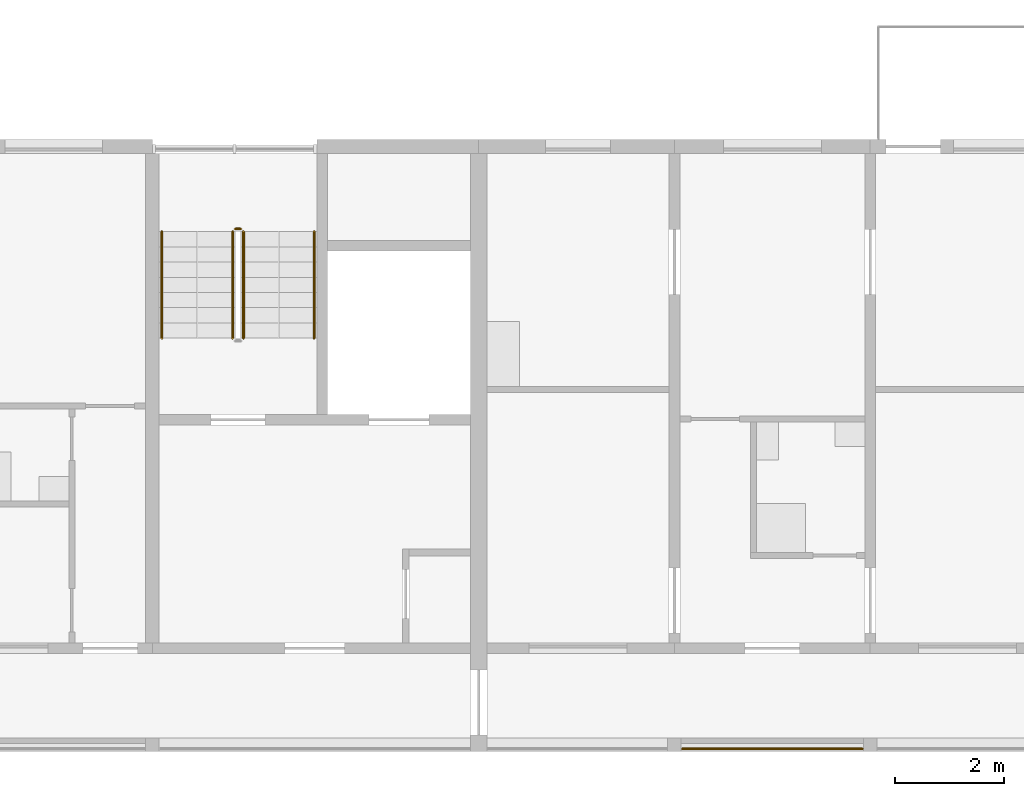
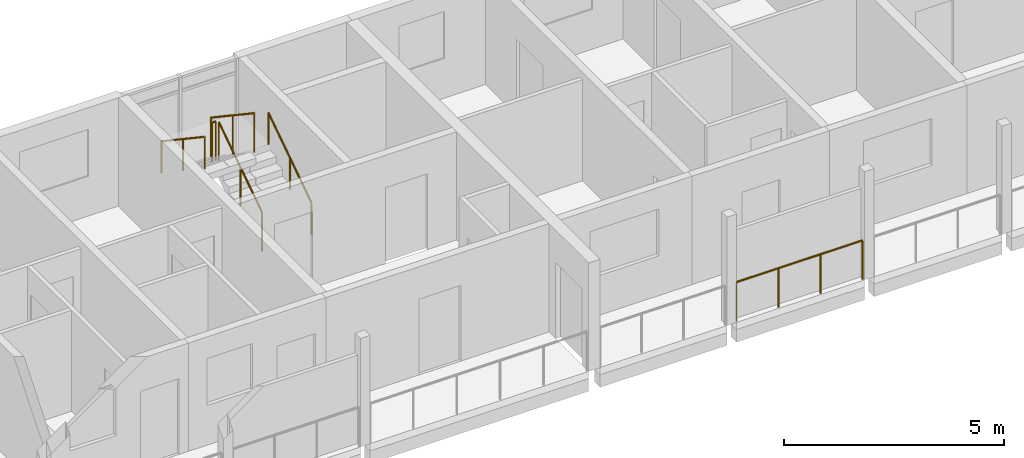
# One storey, part 85 of 94: 6 railings.
"""IFC4 building model written with IfcOpenShell, lengths in metres."""

import ifcopenshell
import ifcopenshell.guid

model = None  # the IFC model being written
_history = None  # IfcOwnerHistory: only IFC2X3 demands one
_inside = {}  # id of a spatial element -> (the spatial element, [elements in it])
_under = {}  # id of a project, library or spatial element -> (it, [spatial elements below it])
_declared = {}  # id of a project -> (the project, [libraries it declares])
_typed = {}  # id of a type object -> (the type object, [elements of that type])
_made_of = {}  # id of a material, layer set ... -> (it, [elements and type objects made of it])


def new_model(schema):
    """Start an empty IFC model of exactly this schema.

    Asked for "IFC4X3", IfcOpenShell would pick the latest addendum, in which some entities
    have other attributes; the version numbers below select the first issue.
    IFC2X3 requires an IfcOwnerHistory on every rooted entity: one is made here for all.
    """
    global model, _history
    if schema == "IFC4X3":
        model = ifcopenshell.file(schema_version=(4, 3, 0, 0))
    else:
        model = ifcopenshell.file(schema=schema)
    _inside.clear()
    _under.clear()
    _declared.clear()
    _typed.clear()
    _made_of.clear()
    _history = None
    if model.schema == "IFC2X3":
        org = make("IfcOrganization", Name="unknown")
        user = make(
            "IfcPersonAndOrganization",
            ThePerson=make("IfcPerson", FamilyName="unknown"),
            TheOrganization=org,
        )
        app = make(
            "IfcApplication",
            ApplicationDeveloper=org,
            Version="unknown",
            ApplicationFullName="unknown",
            ApplicationIdentifier="unknown",
        )
        _history = make(
            "IfcOwnerHistory",
            OwningUser=user,
            OwningApplication=app,
            ChangeAction="ADDED",
            CreationDate=0,
        )
    return model


def make(cls, **values):
    """One entity of the class cls with the attributes given. An attribute that is None is left unset."""
    return model.create_entity(
        cls, **{name: value for name, value in values.items() if value is not None}
    )


def rooted(cls, **values):
    """An entity with a GlobalId (a new one), such as an element, a storey or a relation."""
    return make(cls, GlobalId=ifcopenshell.guid.new(), OwnerHistory=_history, **values)


def si_unit(unit_type, name, prefix=None):
    """IfcSIUnit, for example si_unit("LENGTHUNIT", "METRE", prefix="MILLI")."""
    return make("IfcSIUnit", UnitType=unit_type, Prefix=prefix, Name=name)


def assignment(units):
    """IfcUnitAssignment: the units of a project."""
    return None if units is None else make("IfcUnitAssignment", Units=units)


def point(xyz):
    """IfcCartesianPoint."""
    return None if xyz is None else make("IfcCartesianPoint", Coordinates=xyz)


def direction(xyz):
    """IfcDirection."""
    return None if xyz is None else make("IfcDirection", DirectionRatios=xyz)


def frame(location, z_axis=None, x_axis=None):
    """IfcAxis2Placement3D, a coordinate frame: its origin and axes. An axis left out is left unset."""
    return make(
        "IfcAxis2Placement3D",
        Location=point(location),
        Axis=direction(z_axis),
        RefDirection=direction(x_axis),
    )


def frame_2d(location, x_axis=None):
    """IfcAxis2Placement2D, a coordinate frame in the plane: its origin and x axis."""
    return make(
        "IfcAxis2Placement2D", Location=point(location), RefDirection=direction(x_axis)
    )


def origin():
    """The frame at (0, 0, 0) with its axes left unset."""
    return frame((0.0, 0.0, 0.0))


def origin_2d():
    """The frame at (0, 0) in the plane with its x axis left unset."""
    return frame_2d((0.0, 0.0))


def place(relative_to, where):
    """IfcLocalPlacement: puts the frame where relative to a parent placement (None: the world)."""
    return make(
        "IfcLocalPlacement", PlacementRelTo=relative_to, RelativePlacement=where
    )


def context(
    kind, dimensions, precision=None, world=None, true_north=None, identifier=None
):
    """IfcGeometricRepresentationContext, for example the 3D "Model" context."""
    return make(
        "IfcGeometricRepresentationContext",
        ContextIdentifier=identifier,
        ContextType=kind,
        CoordinateSpaceDimension=dimensions,
        Precision=precision,
        WorldCoordinateSystem=world,
        TrueNorth=true_north,
    )


def subcontext(parent, identifier, kind, view, scale=None):
    """IfcGeometricRepresentationSubContext, for example "Body" below "Model"."""
    return make(
        "IfcGeometricRepresentationSubContext",
        ContextIdentifier=identifier,
        ContextType=kind,
        ParentContext=parent,
        TargetScale=scale,
        TargetView=view,
    )


def project(units=None, contexts=None):
    """IfcProject with its units and contexts."""
    return rooted(
        "IfcProject",
        Name="project",
        RepresentationContexts=contexts,
        UnitsInContext=assignment(units),
    )


def spatial(cls, under=None, at=None, **own):
    """A site, building, storey or space (cls), placed at a placement, below another one or the project."""
    s = rooted(cls, ObjectPlacement=at, **own)
    if under is not None:
        _under.setdefault(under.id(), (under, []))[1].append(s)
    return s


def profile(cls, at=None, kind="AREA", **sizes):
    """A parametric profile (cls). Its sizes go by their IFC names, for example OverallWidth=200.0."""
    return make(cls, ProfileType=kind, Position=at, **sizes)


def circle(**sizes):
    """IfcCircleProfileDef."""
    return profile("IfcCircleProfileDef", **sizes)


def extrude(swept, where, along, depth):
    """IfcExtrudedAreaSolid: the profile swept, set in the frame where, extruded along a direction by depth."""
    return make(
        "IfcExtrudedAreaSolid",
        SweptArea=swept,
        Position=where,
        ExtrudedDirection=direction(along),
        Depth=depth,
    )


def shape(context_of_items, identifier, shape_type, items):
    """IfcShapeRepresentation: the items that make up one representation, for example the "Body"."""
    return make(
        "IfcShapeRepresentation",
        ContextOfItems=context_of_items,
        RepresentationIdentifier=identifier,
        RepresentationType=shape_type,
        Items=items,
    )


def material(Name=None, Category=None):
    """IfcMaterial."""
    return make("IfcMaterial", Name=Name, Category=Category)


def made_of(thing, what):
    """Note that an element or type object is made of a material, layer set ...; save() writes the relation."""
    if what is not None:
        _made_of.setdefault(what.id(), (what, []))[1].append(thing)
    return thing


def type_object(cls, material=None, **own):
    """A type object (cls), such as IfcWallType, which elements share."""
    return made_of(rooted(cls, **own), material)


def element(
    cls,
    number,
    at=None,
    inside=None,
    cuts=None,
    type_object=None,
    material=None,
    context=None,
    identifier="Body",
    shape_type=None,
    held_by="IfcProductDefinitionShape",
    body=None,
    shapes=None,
    **own,
):
    """One element of the class cls, such as IfcWall. Its Tag is "e" and its number.

    at: its placement. inside: the storey or other place that contains it. cuts: it is an
    opening in that element (IfcRelVoidsElement). A single representation is given by context,
    identifier, shape_type and body (its items); several are given by shapes. held_by: the class
    of the entity that holds the representations. save() writes the other relations.
    """
    e = rooted(cls, Tag="e%d" % number, ObjectPlacement=at, **own)
    if body is not None:
        shapes = [shape(context, identifier, shape_type, body)]
    if shapes is not None:
        e.Representation = make(held_by, Representations=shapes)
    if inside is not None:
        _inside.setdefault(inside.id(), (inside, []))[1].append(e)
    if cuts is not None:
        rooted(
            "IfcRelVoidsElement", RelatingBuildingElement=cuts, RelatedOpeningElement=e
        )
    if type_object is not None:
        _typed.setdefault(type_object.id(), (type_object, []))[1].append(e)
    return made_of(e, material)


def aggregate(whole, parts):
    """IfcRelAggregates: a whole, such as a stair, and the parts it consists of."""
    return rooted("IfcRelAggregates", RelatingObject=whole, RelatedObjects=parts)


def save(model, path):
    """Write the relations noted so far, then the file.

    IfcRelAggregates (storeys below a building ...), IfcRelContainedInSpatialStructure (elements
    in a storey), IfcRelDefinesByType, IfcRelAssociatesMaterial and IfcRelDeclares: one each for
    every whole, place, type object, material and project.
    """
    for whole, parts in _under.values():
        aggregate(whole, parts)
    for where, things in _inside.values():
        rooted(
            "IfcRelContainedInSpatialStructure",
            RelatedElements=things,
            RelatingStructure=where,
        )
    for kind, things in _typed.values():
        rooted("IfcRelDefinesByType", RelatedObjects=things, RelatingType=kind)
    for what, things in _made_of.values():
        rooted("IfcRelAssociatesMaterial", RelatedObjects=things, RelatingMaterial=what)
    for by, libraries in _declared.values():
        rooted("IfcRelDeclares", RelatingContext=by, RelatedDefinitions=libraries)
    model.write(path)


model = new_model("IFC4")

# Units and contexts
model_context = context("Model", 3, precision=1e-05, world=origin(), true_north=direction((0.0, 1.0)))
body_context = subcontext(model_context, "Body", "Model", "MODEL_VIEW")
ifc_project = project(units=[si_unit("LENGTHUNIT", "METRE"), si_unit("AREAUNIT", "SQUARE_METRE"), si_unit("VOLUMEUNIT", "CUBIC_METRE"), si_unit("PLANEANGLEUNIT", "RADIAN"), si_unit("MASSUNIT", "GRAM", prefix="KILO")], contexts=[model_context])

# Site, building, storey
site_placement = place(None, origin())
site = spatial("IfcSite", under=ifc_project, at=site_placement, CompositionType="ELEMENT")
building_placement = place(site_placement, origin())
building = spatial("IfcBuilding", under=site, at=building_placement, Name="Ridgestep Commons", CompositionType="ELEMENT")
storey_placement = place(building_placement, frame((0.0, 0.0, 24.0)))
storey = spatial("IfcBuildingStorey", under=building, at=storey_placement, Name="L08", CompositionType="ELEMENT", Elevation=24.0)

# Railings
ifc_material_1 = material(Name="Structural steel S355JR", Category="steel")
railing_type_1 = type_object("IfcRailingType", Name="Guard 1100", PredefinedType="GUARDRAIL", material=ifc_material_1)
railing_1_placement = place(storey_placement, frame((200.946044921875, 11.800048828125, 0.0)))
element("IfcRailing", 1, at=railing_1_placement, inside=storey, type_object=railing_type_1, Name="Gallery guard D 08.14", PredefinedType="GUARDRAIL", context=body_context, shape_type="SweptSolid", body=[
    extrude(circle(Radius=0.02392578125, at=origin_2d()), frame((0.0, 0.0, 1.076171875), z_axis=(1.0, 0.0, 0.0), x_axis=(0.0, 1.0, 0.0)), (0.0, 0.0, 1.0), 3.307861328125),
    extrude(circle(Radius=0.02099609375, at=origin_2d()), origin(), (0.0, 0.0, 1.0), 1.052001953125),
    extrude(circle(Radius=0.02099609375, at=origin_2d()), frame((1.1025390625, 0.0, 0.0)), (0.0, 0.0, 1.0), 1.052001953125),
    extrude(circle(Radius=0.02099609375, at=origin_2d()), frame((2.205322265625, 0.0, 0.0)), (0.0, 0.0, 1.0), 1.052001953125),
    extrude(circle(Radius=0.02099609375, at=origin_2d()), frame((3.307861328125, 0.0, 0.0)), (0.0, 0.0, 1.0), 1.052001953125),
])
ifc_material_2 = material(Name="Structural steel S355JR", Category="steel")
railing_type_2 = type_object("IfcRailingType", Name="Stair guard 1100", PredefinedType="GUARDRAIL", material=ifc_material_2)
railing_2_placement = place(storey_placement, frame((192.875, 19.35009765625, 0.1875)))
element("IfcRailing", 2, at=railing_2_placement, inside=storey, type_object=railing_type_2, Name="L08 D3C stair guard 1", PredefinedType="GUARDRAIL", context=body_context, shape_type="SweptSolid", body=[
    extrude(circle(Radius=0.02392578125, at=origin_2d()), frame((0.0, 0.0, 1.076171875), z_axis=(0.0, 0.830902050051, 0.556418712142), x_axis=(-1.0, 0.0, 0.0)), (0.0, 0.0, 1.0), 2.35888671875),
    extrude(circle(Radius=0.02099609375, at=origin_2d()), origin(), (0.0, 0.0, 1.0), 1.052001953125),
    extrude(circle(Radius=0.02099609375, at=origin_2d()), frame((0.0, 0.97998046875, 0.65625)), (0.0, 0.0, 1.0), 1.052001953125),
    extrude(circle(Radius=0.02099609375, at=origin_2d()), frame((0.0, 1.9599609375, 1.3125)), (0.0, 0.0, 1.0), 1.052001953125),
])
railing_3_placement = place(storey_placement, frame((192.824951171875, 21.360107421875, 1.5)))
element("IfcRailing", 3, at=railing_3_placement, inside=storey, type_object=railing_type_2, Name="L08 D3C stair guard 2", PredefinedType="GUARDRAIL", context=body_context, shape_type="SweptSolid", body=[
    extrude(circle(Radius=0.02392578125, at=origin_2d()), frame((0.0, 0.0, 1.076171875), z_axis=(-1.0, 0.0, 0.0), x_axis=(0.0, -1.0, 0.0)), (0.0, 0.0, 1.0), 0.099853515625),
    extrude(circle(Radius=0.02099609375, at=origin_2d()), origin(), (0.0, 0.0, 1.0), 1.052001953125),
    extrude(circle(Radius=0.02099609375, at=origin_2d()), frame((-0.099853515625, 0.0, 0.0)), (0.0, 0.0, 1.0), 1.052001953125),
])
railing_4_placement = place(storey_placement, frame((192.675048828125, 21.31005859375, 1.6875)))
element("IfcRailing", 4, at=railing_4_placement, inside=storey, type_object=railing_type_2, Name="L08 D3C stair guard 3", PredefinedType="GUARDRAIL", context=body_context, shape_type="SweptSolid", body=[
    extrude(circle(Radius=0.02392578125, at=origin_2d()), frame((0.0, 0.0, 1.076171875), z_axis=(0.0, -0.830902050051, 0.556418712142), x_axis=(1.0, 0.0, 0.0)), (0.0, 0.0, 1.0), 2.35888671875),
    extrude(circle(Radius=0.02099609375, at=origin_2d()), origin(), (0.0, 0.0, 1.0), 1.052001953125),
    extrude(circle(Radius=0.02099609375, at=origin_2d()), frame((0.0, -0.97998046875, 0.65625)), (0.0, 0.0, 1.0), 1.052001953125),
    extrude(circle(Radius=0.02099609375, at=origin_2d()), frame((0.0, -1.9599609375, 1.3125)), (0.0, 0.0, 1.0), 1.052001953125),
])
ifc_material_3 = material(Name="Structural steel S355JR", Category="steel")
railing_type_3 = type_object("IfcRailingType", Name="Stair handrail 900", PredefinedType="HANDRAIL", material=ifc_material_3)
railing_5_placement = place(storey_placement, frame((194.175048828125, 19.35009765625, 0.1875)))
element("IfcRailing", 5, at=railing_5_placement, inside=storey, type_object=railing_type_3, Name="L08 D3C stair handrail 1", PredefinedType="HANDRAIL", context=body_context, shape_type="SweptSolid", body=[
    extrude(circle(Radius=0.02392578125, at=origin_2d()), frame((0.0, 0.0, 0.8759765625), z_axis=(0.0, 0.830902050051, 0.556418712142), x_axis=(-1.0, 0.0, 0.0)), (0.0, 0.0, 1.0), 2.35888671875),
    extrude(circle(Radius=0.02099609375, at=origin_2d()), origin(), (0.0, 0.0, 1.0), 0.851806640625),
    extrude(circle(Radius=0.02099609375, at=origin_2d()), frame((0.0, 0.97998046875, 0.65625)), (0.0, 0.0, 1.0), 0.851806640625),
    extrude(circle(Radius=0.02099609375, at=origin_2d()), frame((0.0, 1.9599609375, 1.3125)), (0.0, 0.0, 1.0), 0.851806640625),
])
railing_6_placement = place(storey_placement, frame((191.375, 21.31005859375, 1.6875)))
element("IfcRailing", 6, at=railing_6_placement, inside=storey, type_object=railing_type_3, Name="L08 D3C stair handrail 2", PredefinedType="HANDRAIL", context=body_context, shape_type="SweptSolid", body=[
    extrude(circle(Radius=0.02392578125, at=origin_2d()), frame((0.0, 0.0, 0.8759765625), z_axis=(0.0, -0.830902050051, 0.556418712142), x_axis=(1.0, 0.0, 0.0)), (0.0, 0.0, 1.0), 2.35888671875),
    extrude(circle(Radius=0.02099609375, at=origin_2d()), origin(), (0.0, 0.0, 1.0), 0.851806640625),
    extrude(circle(Radius=0.02099609375, at=origin_2d()), frame((0.0, -0.97998046875, 0.65625)), (0.0, 0.0, 1.0), 0.851806640625),
    extrude(circle(Radius=0.02099609375, at=origin_2d()), frame((0.0, -1.9599609375, 1.3125)), (0.0, 0.0, 1.0), 0.851806640625),
])

save(model, "model.ifc")
